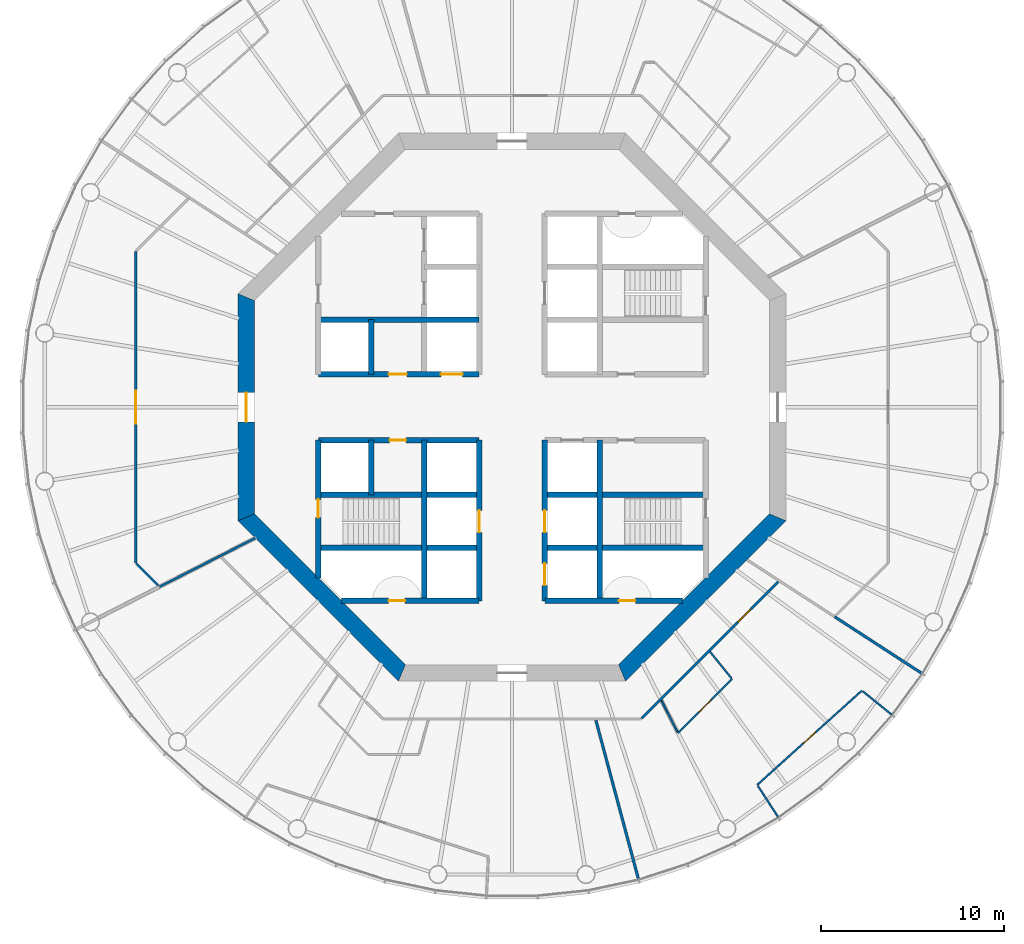
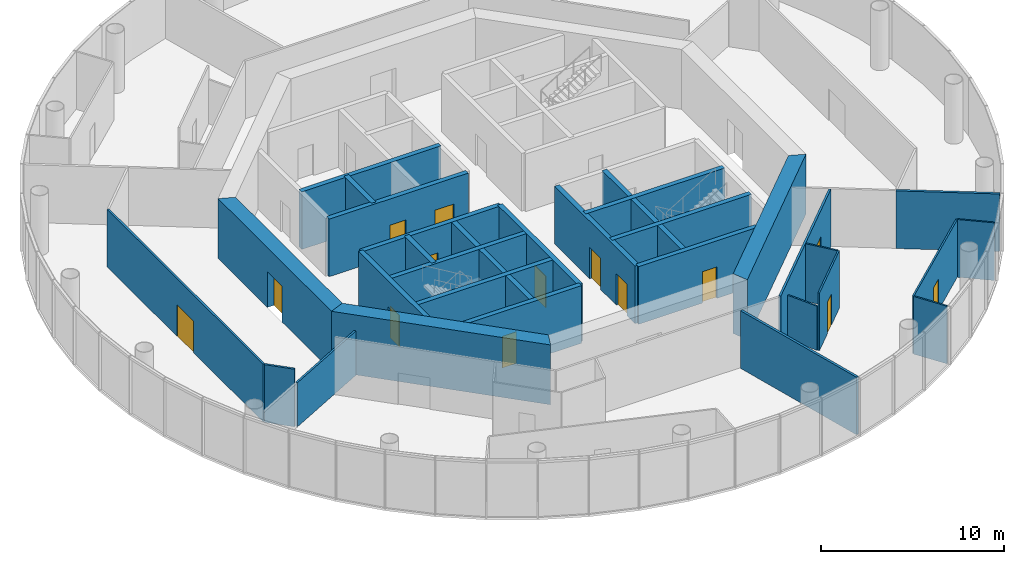
# One storey, part 3 of 12: 31 walls, 14 doors, 14 openings.
"""IFC4 building model written with IfcOpenShell, lengths in metres."""

from ifc_helpers import new_model, si_unit, direction, frame, frame_2d, origin, place, context, subcontext, project, spatial, polyline, rectangle, outline, extrude, material, layer, layer_set, type_object, element, fill, save


model = new_model("IFC4")

# Units and contexts
model_context = context("Model", 3, precision=1e-05, world=origin(), true_north=direction((0.0, 1.0)))
body_context = subcontext(model_context, "Body", "Model", "MODEL_VIEW")
ifc_project = project(units=[si_unit("LENGTHUNIT", "METRE"), si_unit("AREAUNIT", "SQUARE_METRE"), si_unit("VOLUMEUNIT", "CUBIC_METRE"), si_unit("PLANEANGLEUNIT", "RADIAN"), si_unit("MASSUNIT", "GRAM", prefix="KILO")], contexts=[model_context])

# Site, building, storey
site_placement = place(None, origin())
site = spatial("IfcSite", under=ifc_project, at=site_placement, CompositionType="ELEMENT")
building_placement = place(site_placement, origin())
building = spatial("IfcBuilding", under=site, at=building_placement, Name="Entoto Ring Tower", CompositionType="ELEMENT")
storey_placement = place(building_placement, frame((0.0, 0.0, 222.0)))
storey = spatial("IfcBuildingStorey", under=building, at=storey_placement, Name="L51", CompositionType="ELEMENT", Elevation=222.0)

# Wall
ifc_material_1 = material(Name="Concrete C40/50", Category="concrete")
ifc_layer_1 = layer(ifc_material_1, 0.300048828125)
ifc_layer_set_1 = layer_set([ifc_layer_1], Name="Concrete C40/50")
wall_type_1 = type_object("IfcWallType", Name="Core enclosure wall 300 mm reinforced concrete", PredefinedType="SOLIDWALL", material=ifc_layer_set_1)
wall_1_placement = place(storey_placement, frame((94.800048828125, 69.39990234375, 0.0), z_axis=(0.0, 0.0, 1.0), x_axis=(0.0, 1.0, 0.0)))
element("IfcWall", 1, at=wall_1_placement, inside=storey, type_object=wall_type_1, Name="wall-L51-003", PredefinedType="SOLIDWALL", context=body_context, shape_type="SweptSolid", body=[
    extrude(rectangle(XDim=8.800048828125, YDim=0.300048828125, at=frame_2d((4.39990234375, 0.0))), origin(), (0.0, 0.0, 1.0), 3.85009765625),
])

# Wall, openings, doors
wall_2_placement = place(storey_placement, frame((91.800048828125, 69.39990234375, 0.0), z_axis=(0.0, 0.0, 1.0), x_axis=(0.0, 1.0, 0.0)))
wall_2 = element("IfcWall", 2, at=wall_2_placement, inside=storey, type_object=wall_type_1, Name="wall-L51-005", PredefinedType="SOLIDWALL", context=body_context, shape_type="SweptSolid", body=[
    extrude(rectangle(XDim=8.800048828125, YDim=0.300048828125, at=frame_2d((4.39990234375, 0.0))), origin(), (0.0, 0.0, 1.0), 3.85009765625),
])
opening_1_placement = place(wall_2_placement, frame((3.75, 0.0, 0.0)))
opening_1 = element("IfcOpeningElement", 3, at=opening_1_placement, cuts=wall_2, Name="Opening LD", PredefinedType="OPENING", context=body_context, shape_type="SweptSolid", body=[
    extrude(rectangle(XDim=1.199951171875, YDim=2.10009765625, at=frame_2d((0.60009765625, 1.050048828125))), frame((0.0, 0.16015625, 0.0), z_axis=(0.0, -1.0, 0.0), x_axis=(1.0, 0.0, 0.0)), (0.0, 0.0, 1.0), 0.320068359375),
])
opening_2_placement = place(wall_2_placement, frame((0.85009765625, 0.0, 0.0)))
opening_2 = element("IfcOpeningElement", 4, at=opening_2_placement, cuts=wall_2, Name="Opening LD", PredefinedType="OPENING", context=body_context, shape_type="SweptSolid", body=[
    extrude(rectangle(XDim=1.199951171875, YDim=2.10009765625, at=frame_2d((0.60009765625, 1.050048828125))), frame((0.0, 0.16015625, 0.0), z_axis=(0.0, -1.0, 0.0), x_axis=(1.0, 0.0, 0.0)), (0.0, 0.0, 1.0), 0.320068359375),
])
ifc_material_2 = material(Name="Steel and glass door leaf", Category="steel")
ifc_layer_2 = layer(ifc_material_2, 0.050048828125)
ifc_layer_set_2 = layer_set([ifc_layer_2], Name="Steel and glass door leaf")
door_type_1 = type_object("IfcDoorType", Name="Landing door 1200 x 2100 sliding", OperationType="DOUBLE_DOOR_SLIDING", PredefinedType="DOOR", material=ifc_layer_set_2)
door_1_placement = place(opening_1_placement, origin())
door_1 = element("IfcDoor", 5, at=door_1_placement, inside=storey, type_object=door_type_1, Name="Landing door LB2-MR", OperationType="SLIDING_TO_RIGHT", OverallHeight=2.10009765625, OverallWidth=1.199951171875, PredefinedType="DOOR", context=body_context, shape_type="SweptSolid", body=[
    extrude(rectangle(XDim=1.199951171875, YDim=2.10009765625, at=frame_2d((0.60009765625, 1.050048828125))), frame((0.0, 0.02490234375, 0.0), z_axis=(0.0, -1.0, 0.0), x_axis=(1.0, 0.0, 0.0)), (0.0, 0.0, 1.0), 0.050048828125),
])
fill(opening_1, door_1)
door_2_placement = place(opening_2_placement, origin())
door_2 = element("IfcDoor", 6, at=door_2_placement, inside=storey, type_object=door_type_1, Name="Landing door LB3-MR", OperationType="SLIDING_TO_RIGHT", OverallHeight=2.10009765625, OverallWidth=1.199951171875, PredefinedType="DOOR", context=body_context, shape_type="SweptSolid", body=[
    extrude(rectangle(XDim=1.199951171875, YDim=2.10009765625, at=frame_2d((0.60009765625, 1.050048828125))), frame((0.0, 0.02490234375, 0.0), z_axis=(0.0, -1.0, 0.0), x_axis=(1.0, 0.0, 0.0)), (0.0, 0.0, 1.0), 0.050048828125),
])
fill(opening_2, door_2)

# Wall, opening, door
wall_3_placement = place(storey_placement, frame((88.199951171875, 69.39990234375, 0.0), z_axis=(0.0, 0.0, 1.0), x_axis=(0.0, 1.0, 0.0)))
wall_3 = element("IfcWall", 7, at=wall_3_placement, inside=storey, type_object=wall_type_1, Name="wall-L51-007", PredefinedType="SOLIDWALL", context=body_context, shape_type="SweptSolid", body=[
    extrude(rectangle(XDim=8.800048828125, YDim=0.300048828125, at=frame_2d((4.39990234375, 0.0))), origin(), (0.0, 0.0, 1.0), 3.85009765625),
])
opening_3_placement = place(wall_3_placement, frame((3.75, 0.0, 0.0)))
opening_3 = element("IfcOpeningElement", 8, at=opening_3_placement, cuts=wall_3, Name="Opening LD", PredefinedType="OPENING", context=body_context, shape_type="SweptSolid", body=[
    extrude(rectangle(XDim=1.199951171875, YDim=2.10009765625, at=frame_2d((0.60009765625, 1.050048828125))), frame((0.0, 0.16015625, 0.0), z_axis=(0.0, -1.0, 0.0), x_axis=(1.0, 0.0, 0.0)), (0.0, 0.0, 1.0), 0.320068359375),
])
door_3_placement = place(opening_3_placement, origin())
door_3 = element("IfcDoor", 9, at=door_3_placement, inside=storey, type_object=door_type_1, Name="Landing door LB4-MR", OperationType="SLIDING_TO_RIGHT", OverallHeight=2.10009765625, OverallWidth=1.199951171875, PredefinedType="DOOR", context=body_context, shape_type="SweptSolid", body=[
    extrude(rectangle(XDim=1.199951171875, YDim=2.10009765625, at=frame_2d((0.60009765625, 1.050048828125))), frame((0.0, 0.02490234375, 0.0), z_axis=(0.0, -1.0, 0.0), x_axis=(1.0, 0.0, 0.0)), (0.0, 0.0, 1.0), 0.050048828125),
])
fill(opening_3, door_3)

# Walls
wall_4_placement = place(storey_placement, frame((85.199951171875, 69.39990234375, 0.0), z_axis=(0.0, 0.0, 1.0), x_axis=(0.0, 1.0, 0.0)))
element("IfcWall", 10, at=wall_4_placement, inside=storey, type_object=wall_type_1, Name="wall-L51-009", PredefinedType="SOLIDWALL", context=body_context, shape_type="SweptSolid", body=[
    extrude(rectangle(XDim=8.800048828125, YDim=0.300048828125, at=frame_2d((4.39990234375, 0.0))), origin(), (0.0, 0.0, 1.0), 3.85009765625),
])
for number, where, z_axis, x_axis, name in (
    (11, (82.300048828125, 75.199951171875, 0.0), (0.0, 0.0, 1.0), (0.0, 1.0, 0.0), "wall-L51-011"),
    (12, (82.300048828125, 81.800048828125, 0.0), (0.0, 0.0, 1.0), (0.0, 1.0, 0.0), "wall-L51-012"),
):
    element("IfcWall", number, at=place(storey_placement, frame(where, z_axis=z_axis, x_axis=x_axis)), inside=storey, type_object=wall_type_1, Name=name, PredefinedType="SOLIDWALL", context=body_context, shape_type="SweptSolid", body=[
        extrude(rectangle(XDim=3.0, YDim=0.300048828125, at=frame_2d((1.5, 0.0))), origin(), (0.0, 0.0, 1.0), 3.85009765625),
    ])

# Wall, opening, door
wall_5_placement = place(storey_placement, frame((79.39990234375, 70.65966796875, 0.0), z_axis=(0.0, 0.0, 1.0), x_axis=(0.0, 1.0, 0.0)))
wall_5 = element("IfcWall", 13, at=wall_5_placement, inside=storey, type_object=wall_type_1, Name="wall-L51-013", PredefinedType="SOLIDWALL", context=body_context, shape_type="SweptSolid", body=[
    extrude(rectangle(XDim=7.540283203125, YDim=0.300048828125, at=frame_2d((3.77001953125, 0.0))), origin(), (0.0, 0.0, 1.0), 3.85009765625),
])
opening_4_placement = place(wall_5_placement, frame((3.290283203125, 0.0, 0.0)))
opening_4 = element("IfcOpeningElement", 14, at=opening_4_placement, cuts=wall_5, Name="Opening K-55", PredefinedType="OPENING", context=body_context, shape_type="SweptSolid", body=[
    extrude(rectangle(XDim=1.0, YDim=2.10009765625, at=frame_2d((0.5, 1.050048828125))), frame((0.0, 0.16015625, 0.0), z_axis=(0.0, -1.0, 0.0), x_axis=(1.0, 0.0, 0.0)), (0.0, 0.0, 1.0), 0.320068359375),
])
ifc_material_3 = material(Name="Steel door leaf, fire rated", Category="steel")
ifc_layer_3 = layer(ifc_material_3, 0.050048828125)
ifc_layer_set_3 = layer_set([ifc_layer_3], Name="Steel door leaf, fire rated")
door_type_2 = type_object("IfcDoorType", Name="Fire door FD60 1000 x 2100 single leaf", OperationType="NOTDEFINED", PredefinedType="DOOR", material=ifc_layer_set_3)
door_4_placement = place(opening_4_placement, frame((1.0, 0.0, 0.0), z_axis=(0.0, 0.0, 1.0), x_axis=(-1.0, 0.0, 0.0)))
door_4 = element("IfcDoor", 15, at=door_4_placement, inside=storey, type_object=door_type_2, Name="Door K-55", OperationType="SINGLE_SWING_LEFT", OverallHeight=2.10009765625, OverallWidth=1.0, PredefinedType="DOOR", context=body_context, shape_type="SweptSolid", body=[
    extrude(rectangle(XDim=1.0, YDim=2.10009765625, at=frame_2d((0.5, 1.050048828125))), frame((0.0, 0.02490234375, 0.0), z_axis=(0.0, -1.0, 0.0), x_axis=(1.0, 0.0, 0.0)), (0.0, 0.0, 1.0), 0.050048828125),
])
fill(opening_4, door_4)

wall_6_placement = place(storey_placement, frame((80.65966796875, 69.39990234375, 0.0), z_axis=(0.0, 0.0, 1.0), x_axis=(1.0, 0.0, 0.0)))
wall_6 = element("IfcWall", 16, at=wall_6_placement, inside=storey, type_object=wall_type_1, Name="wall-L51-015", PredefinedType="SOLIDWALL", context=body_context, shape_type="SweptSolid", body=[
    extrude(rectangle(XDim=7.540283203125, YDim=0.300048828125, at=frame_2d((3.77001953125, 0.0))), origin(), (0.0, 0.0, 1.0), 3.85009765625),
])
opening_5_placement = place(wall_6_placement, frame((2.59033203125, 0.0, 0.0)))
opening_5 = element("IfcOpeningElement", 17, at=opening_5_placement, cuts=wall_6, Name="Opening K-62", PredefinedType="OPENING", context=body_context, shape_type="SweptSolid", body=[
    extrude(rectangle(XDim=0.89990234375, YDim=2.10009765625, at=frame_2d((0.449951171875, 1.050048828125))), frame((0.0, 0.16015625, 0.0), z_axis=(0.0, -1.0, 0.0), x_axis=(1.0, 0.0, 0.0)), (0.0, 0.0, 1.0), 0.320068359375),
])
ifc_material_4 = material(Name="Steel door leaf, fire rated", Category="steel")
ifc_layer_4 = layer(ifc_material_4, 0.050048828125)
ifc_layer_set_4 = layer_set([ifc_layer_4], Name="Steel door leaf, fire rated")
door_type_3 = type_object("IfcDoorType", Name="Riser door FD60 900 x 2100 single leaf", OperationType="NOTDEFINED", PredefinedType="DOOR", material=ifc_layer_set_4)
door_5_placement = place(opening_5_placement, origin())
door_5 = element("IfcDoor", 18, at=door_5_placement, inside=storey, type_object=door_type_3, Name="Door K-62", OperationType="SINGLE_SWING_RIGHT", OverallHeight=2.10009765625, OverallWidth=0.89990234375, PredefinedType="DOOR", context=body_context, shape_type="SweptSolid", body=[
    extrude(rectangle(XDim=0.89990234375, YDim=2.10009765625, at=frame_2d((0.449951171875, 1.050048828125))), frame((0.0, 0.02490234375, 0.0), z_axis=(0.0, -1.0, 0.0), x_axis=(1.0, 0.0, 0.0)), (0.0, 0.0, 1.0), 0.050048828125),
])
fill(opening_5, door_5)

wall_7_placement = place(storey_placement, frame((91.800048828125, 69.39990234375, 0.0), z_axis=(0.0, 0.0, 1.0), x_axis=(1.0, 0.0, 0.0)))
wall_7 = element("IfcWall", 19, at=wall_7_placement, inside=storey, type_object=wall_type_1, Name="wall-L51-016", PredefinedType="SOLIDWALL", context=body_context, shape_type="SweptSolid", body=[
    extrude(rectangle(XDim=7.540283203125, YDim=0.300048828125, at=frame_2d((3.77001953125, 0.0))), origin(), (0.0, 0.0, 1.0), 3.85009765625),
])
opening_6_placement = place(wall_7_placement, frame((4.050048828125, 0.0, 0.0)))
opening_6 = element("IfcOpeningElement", 20, at=opening_6_placement, cuts=wall_7, Name="Opening K-20", PredefinedType="OPENING", context=body_context, shape_type="SweptSolid", body=[
    extrude(rectangle(XDim=0.89990234375, YDim=2.10009765625, at=frame_2d((0.449951171875, 1.050048828125))), frame((0.0, 0.16015625, 0.0), z_axis=(0.0, -1.0, 0.0), x_axis=(1.0, 0.0, 0.0)), (0.0, 0.0, 1.0), 0.320068359375),
])
door_6_placement = place(opening_6_placement, origin())
door_6 = element("IfcDoor", 21, at=door_6_placement, inside=storey, type_object=door_type_3, Name="Door K-20", OperationType="SINGLE_SWING_LEFT", OverallHeight=2.10009765625, OverallWidth=0.89990234375, PredefinedType="DOOR", context=body_context, shape_type="SweptSolid", body=[
    extrude(rectangle(XDim=0.89990234375, YDim=2.10009765625, at=frame_2d((0.449951171875, 1.050048828125))), frame((0.0, 0.02490234375, 0.0), z_axis=(0.0, -1.0, 0.0), x_axis=(1.0, 0.0, 0.0)), (0.0, 0.0, 1.0), 0.050048828125),
])
fill(opening_6, door_6)

# Walls
for number, where, z_axis, x_axis, name in (
    (22, (79.39990234375, 72.300048828125, 0.0), (0.0, 0.0, 1.0), (1.0, 0.0, 0.0), "wall-L51-017"),
    (23, (91.800048828125, 72.300048828125, 0.0), (0.0, 0.0, 1.0), (1.0, 0.0, 0.0), "wall-L51-018"),
    (24, (79.39990234375, 75.199951171875, 0.0), (0.0, 0.0, 1.0), (1.0, 0.0, 0.0), "wall-L51-019"),
    (25, (91.800048828125, 75.199951171875, 0.0), (0.0, 0.0, 1.0), (1.0, 0.0, 0.0), "wall-L51-020"),
):
    element("IfcWall", number, at=place(storey_placement, frame(where, z_axis=z_axis, x_axis=x_axis)), inside=storey, type_object=wall_type_1, Name=name, PredefinedType="SOLIDWALL", context=body_context, shape_type="SweptSolid", body=[
        extrude(rectangle(XDim=8.800048828125, YDim=0.300048828125, at=frame_2d((4.39990234375, 0.0))), origin(), (0.0, 0.0, 1.0), 3.85009765625),
    ])

# Wall, opening, door
wall_8_placement = place(storey_placement, frame((79.39990234375, 78.199951171875, 0.0), z_axis=(0.0, 0.0, 1.0), x_axis=(1.0, 0.0, 0.0)))
wall_8 = element("IfcWall", 26, at=wall_8_placement, inside=storey, type_object=wall_type_1, Name="wall-L51-021", PredefinedType="SOLIDWALL", context=body_context, shape_type="SweptSolid", body=[
    extrude(rectangle(XDim=8.800048828125, YDim=0.300048828125, at=frame_2d((4.39990234375, 0.0))), origin(), (0.0, 0.0, 1.0), 3.85009765625),
])
opening_7_placement = place(wall_8_placement, frame((3.89990234375, 0.0, 0.0)))
opening_7 = element("IfcOpeningElement", 27, at=opening_7_placement, cuts=wall_8, Name="Opening K-14", PredefinedType="OPENING", context=body_context, shape_type="SweptSolid", body=[
    extrude(rectangle(XDim=0.89990234375, YDim=2.10009765625, at=frame_2d((0.449951171875, 1.050048828125))), frame((0.0, 0.16015625, 0.0), z_axis=(0.0, -1.0, 0.0), x_axis=(1.0, 0.0, 0.0)), (0.0, 0.0, 1.0), 0.320068359375),
])
ifc_material_5 = material(Name="Steel door leaf, fire rated", Category="steel")
ifc_layer_5 = layer(ifc_material_5, 0.050048828125)
ifc_layer_set_5 = layer_set([ifc_layer_5], Name="Steel door leaf, fire rated")
door_type_4 = type_object("IfcDoorType", Name="Core door 900 x 2100 single leaf", OperationType="NOTDEFINED", PredefinedType="DOOR", material=ifc_layer_set_5)
door_7_placement = place(opening_7_placement, frame((0.89990234375, 0.0, 0.0), z_axis=(0.0, 0.0, 1.0), x_axis=(-1.0, 0.0, 0.0)))
door_7 = element("IfcDoor", 28, at=door_7_placement, inside=storey, type_object=door_type_4, Name="Door K-14", OperationType="SINGLE_SWING_LEFT", OverallHeight=2.10009765625, OverallWidth=0.89990234375, PredefinedType="DOOR", context=body_context, shape_type="SweptSolid", body=[
    extrude(rectangle(XDim=0.89990234375, YDim=2.10009765625, at=frame_2d((0.449951171875, 1.050048828125))), frame((0.0, 0.02490234375, 0.0), z_axis=(0.0, -1.0, 0.0), x_axis=(1.0, 0.0, 0.0)), (0.0, 0.0, 1.0), 0.050048828125),
])
fill(opening_7, door_7)

# Wall, openings, doors
wall_9_placement = place(storey_placement, frame((79.39990234375, 81.800048828125, 0.0), z_axis=(0.0, 0.0, 1.0), x_axis=(1.0, 0.0, 0.0)))
wall_9 = element("IfcWall", 29, at=wall_9_placement, inside=storey, type_object=wall_type_1, Name="wall-L51-023", PredefinedType="SOLIDWALL", context=body_context, shape_type="SweptSolid", body=[
    extrude(rectangle(XDim=8.800048828125, YDim=0.300048828125, at=frame_2d((4.39990234375, 0.0))), origin(), (0.0, 0.0, 1.0), 3.85009765625),
])
opening_8_placement = place(wall_9_placement, frame((6.699951171875, 0.0, 0.0)))
opening_8 = element("IfcOpeningElement", 30, at=opening_8_placement, cuts=wall_9, Name="Opening LD", PredefinedType="OPENING", context=body_context, shape_type="SweptSolid", body=[
    extrude(rectangle(XDim=1.199951171875, YDim=2.10009765625, at=frame_2d((0.60009765625, 1.050048828125))), frame((0.0, 0.16015625, 0.0), z_axis=(0.0, -1.0, 0.0), x_axis=(1.0, 0.0, 0.0)), (0.0, 0.0, 1.0), 0.320068359375),
])
opening_9_placement = place(wall_9_placement, frame((3.85009765625, 0.0, 0.0)))
opening_9 = element("IfcOpeningElement", 31, at=opening_9_placement, cuts=wall_9, Name="Opening K-13", PredefinedType="OPENING", context=body_context, shape_type="SweptSolid", body=[
    extrude(rectangle(XDim=1.0, YDim=2.10009765625, at=frame_2d((0.5, 1.050048828125))), frame((0.0, 0.16015625, 0.0), z_axis=(0.0, -1.0, 0.0), x_axis=(1.0, 0.0, 0.0)), (0.0, 0.0, 1.0), 0.320068359375),
])
ifc_material_6 = material(Name="Steel door leaf, fire rated", Category="steel")
ifc_layer_6 = layer(ifc_material_6, 0.050048828125)
ifc_layer_set_6 = layer_set([ifc_layer_6], Name="Steel door leaf, fire rated")
door_type_5 = type_object("IfcDoorType", Name="Accessible door 1000 x 2100 single leaf", OperationType="NOTDEFINED", PredefinedType="DOOR", material=ifc_layer_set_6)
door_8_placement = place(opening_9_placement, origin())
door_8 = element("IfcDoor", 32, at=door_8_placement, inside=storey, type_object=door_type_5, Name="Door K-13", OperationType="SINGLE_SWING_LEFT", OverallHeight=2.10009765625, OverallWidth=1.0, PredefinedType="DOOR", context=body_context, shape_type="SweptSolid", body=[
    extrude(rectangle(XDim=1.0, YDim=2.10009765625, at=frame_2d((0.5, 1.050048828125))), frame((0.0, 0.02490234375, 0.0), z_axis=(0.0, -1.0, 0.0), x_axis=(1.0, 0.0, 0.0)), (0.0, 0.0, 1.0), 0.050048828125),
])
fill(opening_9, door_8)
door_9_placement = place(opening_8_placement, origin())
door_9 = element("IfcDoor", 33, at=door_9_placement, inside=storey, type_object=door_type_1, Name="Landing door LB5-MR", OperationType="SLIDING_TO_LEFT", OverallHeight=2.10009765625, OverallWidth=1.199951171875, PredefinedType="DOOR", context=body_context, shape_type="SweptSolid", body=[
    extrude(rectangle(XDim=1.199951171875, YDim=2.10009765625, at=frame_2d((0.60009765625, 1.050048828125))), frame((0.0, 0.02490234375, 0.0), z_axis=(0.0, -1.0, 0.0), x_axis=(1.0, 0.0, 0.0)), (0.0, 0.0, 1.0), 0.050048828125),
])
fill(opening_8, door_9)

# Wall
wall_10_placement = place(storey_placement, frame((79.39990234375, 84.800048828125, 0.0), z_axis=(0.0, 0.0, 1.0), x_axis=(1.0, 0.0, 0.0)))
element("IfcWall", 34, at=wall_10_placement, inside=storey, type_object=wall_type_1, Name="wall-L51-025", PredefinedType="SOLIDWALL", context=body_context, shape_type="SweptSolid", body=[
    extrude(rectangle(XDim=8.800048828125, YDim=0.300048828125, at=frame_2d((4.39990234375, 0.0))), origin(), (0.0, 0.0, 1.0), 3.85009765625),
])

# Wall, opening, door
ifc_material_7 = material(Name="Concrete C50/60", Category="concrete")
ifc_layer_7 = layer(ifc_material_7, 0.89990234375)
ifc_layer_set_7 = layer_set([ifc_layer_7], Name="Concrete C50/60")
wall_type_2 = type_object("IfcWallType", Name="Core shear wall 900 mm reinforced concrete C50/60", PredefinedType="SHEAR", material=ifc_layer_set_7)
wall_11_placement = place(storey_placement, frame((75.449951171875, 86.02685546875, 0.0), z_axis=(0.0, 0.0, 1.0), x_axis=(0.0, -1.0, 0.0)))
wall_11 = element("IfcWall", 35, at=wall_11_placement, inside=storey, type_object=wall_type_2, Name="wall-L51-core-4", PredefinedType="SHEAR", context=body_context, shape_type="SweptSolid", body=[
    extrude(outline(polyline([(-0.186279296875, -0.449951171875), (12.239990234375, -0.449951171875), (11.867431640625, 0.449951171875), (0.186279296875, 0.449951171875), (-0.186279296875, -0.449951171875)])), origin(), (0.0, 0.0, 1.0), 4.0),
])
opening_10_placement = place(wall_11_placement, frame((5.226806640625, 0.0, 0.0)))
opening_10 = element("IfcOpeningElement", 36, at=opening_10_placement, cuts=wall_11, Name="Opening K-03", PredefinedType="OPENING", context=body_context, shape_type="SweptSolid", body=[
    extrude(rectangle(XDim=1.60009765625, YDim=2.39990234375, at=frame_2d((0.800048828125, 1.199951171875))), frame((0.0, 0.4599609375, 0.0), z_axis=(0.0, -1.0, 0.0), x_axis=(1.0, 0.0, 0.0)), (0.0, 0.0, 1.0), 0.919921875),
])
ifc_material_8 = material(Name="Steel door leaf, fire rated", Category="steel")
ifc_layer_8 = layer(ifc_material_8, 0.050048828125)
ifc_layer_set_8 = layer_set([ifc_layer_8], Name="Steel door leaf, fire rated")
door_type_6 = type_object("IfcDoorType", Name="Entrance door FD60 1600 x 2400 double leaf", OperationType="DOUBLE_DOOR_SINGLE_SWING", PredefinedType="DOOR", material=ifc_layer_set_8)
door_10_placement = place(opening_10_placement, origin())
door_10 = element("IfcDoor", 37, at=door_10_placement, inside=storey, type_object=door_type_6, Name="Entrance door K-03", OperationType="DOUBLE_DOOR_SINGLE_SWING", OverallHeight=2.39990234375, OverallWidth=1.60009765625, PredefinedType="DOOR", context=body_context, shape_type="SweptSolid", body=[
    extrude(rectangle(XDim=1.60009765625, YDim=2.39990234375, at=frame_2d((0.800048828125, 1.199951171875))), frame((0.0, 0.02490234375, 0.0), z_axis=(0.0, -1.0, 0.0), x_axis=(1.0, 0.0, 0.0)), (0.0, 0.0, 1.0), 0.050048828125),
])
fill(opening_10, door_10)

# Walls
for number, where, z_axis, x_axis, name in (
    (38, (75.449951171875, 73.97314453125, 0.0), (0.0, 0.0, 1.0), (0.707106781187, -0.707106781187, 0.0), "wall-L51-core-5"),
    (39, (96.02685546875, 65.449951171875, 0.0), (0.0, 0.0, 1.0), (0.707106781187, 0.707106781187, 0.0), "wall-L51-core-7"),
):
    element("IfcWall", number, at=place(storey_placement, frame(where, z_axis=z_axis, x_axis=x_axis)), inside=storey, type_object=wall_type_2, Name=name, PredefinedType="SHEAR", context=body_context, shape_type="SweptSolid", body=[
        extrude(outline(polyline([(-0.186279296875, -0.449951171875), (12.239990234375, -0.449951171875), (11.867431640625, 0.449951171875), (0.186279296875, 0.449951171875), (-0.186279296875, -0.449951171875)])), origin(), (0.0, 0.0, 1.0), 4.0),
    ])

# Wall, opening, door
ifc_material_9 = material(Name="Fire-resisting plasterboard on steel studs", Category="steel")
ifc_layer_9 = layer(ifc_material_9, 0.125)
ifc_layer_set_9 = layer_set([ifc_layer_9], Name="Fire-resisting plasterboard on steel studs")
wall_type_3 = type_object("IfcWallType", Name="Corridor wall 125 mm one-hour plasterboard on steel studs", PredefinedType="PARTITIONING", material=ifc_layer_set_9)
wall_12_placement = place(storey_placement, frame((69.39990234375, 71.46728515625, 0.0), z_axis=(0.0, 0.0, 1.0), x_axis=(0.0, 1.0, 0.0)))
wall_12 = element("IfcWall", 40, at=wall_12_placement, inside=storey, type_object=wall_type_3, Name="partition-L51-001", PredefinedType="PARTITIONING", context=body_context, shape_type="SweptSolid", body=[
    extrude(rectangle(XDim=17.0654296875, YDim=0.125, at=frame_2d((8.53271484375, 0.0))), origin(), (0.0, 0.0, 1.0), 3.85009765625),
])
opening_11_placement = place(wall_12_placement, frame((7.6328125, 0.0, 0.0)))
opening_11 = element("IfcOpeningElement", 41, at=opening_11_placement, cuts=wall_12, Name="Opening A22-D02", PredefinedType="OPENING", context=body_context, shape_type="SweptSolid", body=[
    extrude(rectangle(XDim=1.800048828125, YDim=2.10009765625, at=frame_2d((0.89990234375, 1.050048828125))), frame((0.0, 0.072509765625, 0.0), z_axis=(0.0, -1.0, 0.0), x_axis=(1.0, 0.0, 0.0)), (0.0, 0.0, 1.0), 0.14501953125),
])
ifc_material_10 = material(Name="Fire-resisting timber door set", Category="wood")
door_type_7 = type_object("IfcDoorType", Name="Door 1800 x 2100 double leaf FD30S fire door", OperationType="DOUBLE_DOOR_SINGLE_SWING", PredefinedType="DOOR", material=ifc_material_10)
door_11_placement = place(opening_11_placement, origin())
door_11 = element("IfcDoor", 42, at=door_11_placement, inside=storey, type_object=door_type_7, Name="Door A22-D02", OperationType="DOUBLE_DOOR_SINGLE_SWING", OverallHeight=2.10009765625, OverallWidth=1.800048828125, PredefinedType="DOOR", context=body_context, shape_type="SweptSolid", body=[
    extrude(rectangle(XDim=1.800048828125, YDim=2.10009765625, at=frame_2d((0.89990234375, 1.050048828125))), frame((0.0, 0.02490234375, 0.0), z_axis=(0.0, -1.0, 0.0), x_axis=(1.0, 0.0, 0.0)), (0.0, 0.0, 1.0), 0.050048828125),
])
fill(opening_11, door_11)

wall_13_placement = place(storey_placement, frame((97.0986328125, 62.968505859375, 0.0), z_axis=(0.0, 0.0, 1.0), x_axis=(0.707095235926, 0.707118326258, 0.0)))
wall_13 = element("IfcWall", 43, at=wall_13_placement, inside=storey, type_object=wall_type_3, Name="partition-L51-008", PredefinedType="PARTITIONING", context=body_context, shape_type="SweptSolid", body=[
    extrude(rectangle(XDim=10.5732421875, YDim=0.125, at=frame_2d((5.28662109375, 0.0))), origin(), (0.0, 0.0, 1.0), 3.85009765625),
])
opening_12_placement = place(wall_13_placement, frame((7.440185546875, 0.0, 0.0)))
opening_12 = element("IfcOpeningElement", 44, at=opening_12_placement, cuts=wall_13, Name="Opening A22-D14", PredefinedType="OPENING", context=body_context, shape_type="SweptSolid", body=[
    extrude(rectangle(XDim=1.0, YDim=2.10009765625, at=frame_2d((0.5, 1.050048828125))), frame((0.0, 0.072509765625, 0.0), z_axis=(0.0, -1.0, 0.0), x_axis=(1.0, 0.0, 0.0)), (0.0, 0.0, 1.0), 0.14501953125),
])
ifc_material_11 = material(Name="Fire-resisting timber door set", Category="wood")
door_type_8 = type_object("IfcDoorType", Name="Door 1000 x 2100 single leaf FD30S fire door", OperationType="NOTDEFINED", PredefinedType="DOOR", material=ifc_material_11)
door_12_placement = place(opening_12_placement, frame((1.0, 0.0, 0.0), z_axis=(0.0, 0.0, 1.0), x_axis=(-1.0, 0.0, 0.0)))
door_12 = element("IfcDoor", 45, at=door_12_placement, inside=storey, type_object=door_type_8, Name="Door A22-D14", OperationType="SINGLE_SWING_RIGHT", OverallHeight=2.10009765625, OverallWidth=1.0, PredefinedType="DOOR", context=body_context, shape_type="SweptSolid", body=[
    extrude(rectangle(XDim=1.0, YDim=2.10009765625, at=frame_2d((0.5, 1.050048828125))), frame((0.0, 0.02490234375, 0.0), z_axis=(0.0, -1.0, 0.0), x_axis=(1.0, 0.0, 0.0)), (0.0, 0.0, 1.0), 0.050048828125),
])
fill(opening_12, door_12)

# Walls
wall_14_placement = place(storey_placement, frame((70.630615234375, 70.236572265625, 0.0), z_axis=(0.0, 0.0, 1.0), x_axis=(-0.707106781187, 0.707106781187, 0.0)))
element("IfcWall", 46, at=wall_14_placement, inside=storey, type_object=wall_type_3, Name="partition-L51-015", PredefinedType="PARTITIONING", context=body_context, shape_type="SweptSolid", body=[
    extrude(rectangle(XDim=1.6962890625, YDim=0.125, at=frame_2d((0.84814453125, 0.0))), origin(), (0.0, 0.0, 1.0), 3.85009765625),
])
ifc_material_12 = material(Name="Fire-resisting plasterboard on steel studs", Category="steel")
ifc_layer_10 = layer(ifc_material_12, 0.125)
ifc_layer_set_10 = layer_set([ifc_layer_10], Name="Fire-resisting plasterboard on steel studs")
wall_type_4 = type_object("IfcWallType", Name="Corridor wall 125 mm one-hour plasterboard on steel studs, 2950 mm high", PredefinedType="PARTITIONING", material=ifc_layer_set_10)
wall_15_placement = place(storey_placement, frame((70.70068359375, 70.16650390625, 0.0), z_axis=(0.0, 0.0, 1.0), x_axis=(0.891009750901, 0.453984166905, 0.0)))
element("IfcWall", 47, at=wall_15_placement, inside=storey, type_object=wall_type_4, Name="partition-L51-010", PredefinedType="PARTITIONING", context=body_context, shape_type="SweptSolid", body=[
    extrude(rectangle(XDim=5.88818359375, YDim=0.125, at=frame_2d((2.944091796875, 0.0))), origin(), (0.0, 0.0, 1.0), 2.949951171875),
])

# Wall, opening, door
ifc_material_13 = material(Name="Plasterboard on steel studs", Category="steel")
ifc_layer_11 = layer(ifc_material_13, 0.10009765625)
ifc_layer_set_11 = layer_set([ifc_layer_11], Name="Plasterboard on steel studs")
wall_type_5 = type_object("IfcWallType", Name="Partition 100 mm plasterboard on steel studs", PredefinedType="PARTITIONING", material=ifc_layer_set_11)
wall_16_placement = place(storey_placement, frame((103.42529296875, 59.326904296875, 0.0), z_axis=(0.0, 0.0, 1.0), x_axis=(0.743144588405, 0.669130869654, 0.0)))
wall_16 = element("IfcWall", 48, at=wall_16_placement, inside=storey, type_object=wall_type_5, Name="partition-L51-025", PredefinedType="PARTITIONING", context=body_context, shape_type="SweptSolid", body=[
    extrude(rectangle(XDim=7.712158203125, YDim=0.10009765625, at=frame_2d((3.85595703125, 0.0))), origin(), (0.0, 0.0, 1.0), 3.85009765625),
])
opening_13_placement = place(wall_16_placement, frame((3.406005859375, 0.0, 0.0)))
opening_13 = element("IfcOpeningElement", 49, at=opening_13_placement, cuts=wall_16, Name="Opening A22-D16", PredefinedType="OPENING", context=body_context, shape_type="SweptSolid", body=[
    extrude(rectangle(XDim=0.89990234375, YDim=2.10009765625, at=frame_2d((0.449951171875, 1.050048828125))), frame((0.0, 0.06005859375, 0.0), z_axis=(0.0, -1.0, 0.0), x_axis=(1.0, 0.0, 0.0)), (0.0, 0.0, 1.0), 0.1201171875),
])
ifc_material_14 = material(Name="Veneered timber door leaf in timber frame", Category="wood")
door_type_9 = type_object("IfcDoorType", Name="Door 900 x 2100 single leaf timber veneer", OperationType="NOTDEFINED", PredefinedType="DOOR", material=ifc_material_14)
door_13_placement = place(opening_13_placement, frame((0.89990234375, 0.0, 0.0), z_axis=(0.0, 0.0, 1.0), x_axis=(-1.0, 0.0, 0.0)))
door_13 = element("IfcDoor", 50, at=door_13_placement, inside=storey, type_object=door_type_9, Name="Door A22-D16", OperationType="SINGLE_SWING_LEFT", OverallHeight=2.10009765625, OverallWidth=0.89990234375, PredefinedType="DOOR", context=body_context, shape_type="SweptSolid", body=[
    extrude(rectangle(XDim=0.89990234375, YDim=2.10009765625, at=frame_2d((0.449951171875, 1.050048828125))), frame((0.0, 0.02490234375, 0.0), z_axis=(0.0, -1.0, 0.0), x_axis=(1.0, 0.0, 0.0)), (0.0, 0.0, 1.0), 0.050048828125),
])
fill(opening_13, door_13)

wall_17_placement = place(storey_placement, frame((99.090087890625, 62.159912109375, 0.0), z_axis=(0.0, 0.0, 1.0), x_axis=(0.707106781187, 0.707106781187, 0.0)))
wall_17 = element("IfcWall", 51, at=wall_17_placement, inside=storey, type_object=wall_type_5, Name="partition-L51-029", PredefinedType="PARTITIONING", context=body_context, shape_type="SweptSolid", body=[
    extrude(rectangle(XDim=4.185791015625, YDim=0.10009765625, at=frame_2d((2.0927734375, 0.0))), origin(), (0.0, 0.0, 1.0), 3.85009765625),
])
opening_14_placement = place(wall_17_placement, frame((1.642822265625, 0.0, 0.0)))
opening_14 = element("IfcOpeningElement", 52, at=opening_14_placement, cuts=wall_17, Name="Opening A22-D15", PredefinedType="OPENING", context=body_context, shape_type="SweptSolid", body=[
    extrude(rectangle(XDim=0.89990234375, YDim=2.10009765625, at=frame_2d((0.449951171875, 1.050048828125))), frame((0.0, 0.06005859375, 0.0), z_axis=(0.0, -1.0, 0.0), x_axis=(1.0, 0.0, 0.0)), (0.0, 0.0, 1.0), 0.1201171875),
])
door_14_placement = place(opening_14_placement, origin())
door_14 = element("IfcDoor", 53, at=door_14_placement, inside=storey, type_object=door_type_9, Name="Door A22-D15", OperationType="SINGLE_SWING_LEFT", OverallHeight=2.10009765625, OverallWidth=0.89990234375, PredefinedType="DOOR", context=body_context, shape_type="SweptSolid", body=[
    extrude(rectangle(XDim=0.89990234375, YDim=2.10009765625, at=frame_2d((0.449951171875, 1.050048828125))), frame((0.0, 0.02490234375, 0.0), z_axis=(0.0, -1.0, 0.0), x_axis=(1.0, 0.0, 0.0)), (0.0, 0.0, 1.0), 0.050048828125),
])
fill(opening_14, door_14)

# Walls
for number, where, z_axis, x_axis, name in (
    (54, (104.563720703125, 57.573974609375, 0.0), (0.0, 0.0, 1.0), (-0.544693962509, 0.838634895056, 0.0), "partition-L51-036"),
    (55, (110.781005859375, 63.172119140625, 0.0), (0.0, 0.0, 1.0), (-0.777166854362, 0.629294589585, 0.0), "partition-L51-037"),
):
    element("IfcWall", number, at=place(storey_placement, frame(where, z_axis=z_axis, x_axis=x_axis)), inside=storey, type_object=wall_type_5, Name=name, PredefinedType="PARTITIONING", context=body_context, shape_type="SweptSolid", body=[
        extrude(rectangle(XDim=2.040771484375, YDim=0.10009765625, at=frame_2d((1.0205078125, 0.0))), origin(), (0.0, 0.0, 1.0), 3.85009765625),
    ])
wall_18_placement = place(storey_placement, frame((102.0185546875, 65.158203125, 0.0), z_axis=(0.0, 0.0, 1.0), x_axis=(-0.629261966188, 0.777193269341, 0.0)))
element("IfcWall", 56, at=wall_18_placement, inside=storey, type_object=wall_type_5, Name="partition-L51-043", PredefinedType="PARTITIONING", context=body_context, shape_type="SweptSolid", body=[
    extrude(rectangle(XDim=1.873046875, YDim=0.10009765625, at=frame_2d((0.9365234375, 0.0))), origin(), (0.0, 0.0, 1.0), 3.85009765625),
])
ifc_material_15 = material(Name="Plasterboard on steel studs", Category="steel")
ifc_layer_12 = layer(ifc_material_15, 0.10009765625)
ifc_layer_set_12 = layer_set([ifc_layer_12], Name="Plasterboard on steel studs")
wall_type_6 = type_object("IfcWallType", Name="Partition 100 mm plasterboard on steel studs, 2950 mm high", PredefinedType="PARTITIONING", material=ifc_layer_set_12)
wall_19_placement = place(storey_placement, frame((99.058837890625, 62.220947265625, 0.0), z_axis=(0.0, 0.0, 1.0), x_axis=(-0.454026133406, 0.890988367031, 0.0)))
element("IfcWall", 57, at=wall_19_placement, inside=storey, type_object=wall_type_6, Name="partition-L51-038", PredefinedType="PARTITIONING", context=body_context, shape_type="SweptSolid", body=[
    extrude(rectangle(XDim=1.931396484375, YDim=0.10009765625, at=frame_2d((0.9658203125, 0.0))), origin(), (0.0, 0.0, 1.0), 2.949951171875),
])
ifc_material_16 = material(Name="Fire-resisting acoustic plasterboard on steel studs", Category="steel")
ifc_layer_13 = layer(ifc_material_16, 0.14990234375)
ifc_layer_set_13 = layer_set([ifc_layer_13], Name="Fire-resisting acoustic plasterboard on steel studs")
wall_type_7 = type_object("IfcWallType", Name="Party wall 150 mm one-hour acoustic plasterboard on steel studs", PredefinedType="PARTITIONING", material=ifc_layer_set_13)
wall_20_placement = place(storey_placement, frame((96.9208984375, 54.171142578125, 0.0), z_axis=(0.0, 0.0, 1.0), x_axis=(-0.258831999562, 0.965922355059, 0.0)))
element("IfcWall", 58, at=wall_20_placement, inside=storey, type_object=wall_type_7, Name="partition-L51-018", PredefinedType="PARTITIONING", context=body_context, shape_type="SweptSolid", body=[
    extrude(rectangle(XDim=8.990966796875, YDim=0.14990234375, at=frame_2d((4.49560546875, 0.0))), origin(), (0.0, 0.0, 1.0), 3.85009765625),
])
wall_21_placement = place(storey_placement, frame((112.426025390625, 65.436279296875, 0.0), z_axis=(0.0, 0.0, 1.0), x_axis=(-0.838649796671, 0.544671018638, 0.0)))
element("IfcWall", 59, at=wall_21_placement, inside=storey, type_object=wall_type_7, Name="partition-L51-019", PredefinedType="PARTITIONING", context=body_context, shape_type="SweptSolid", body=[
    extrude(rectangle(XDim=5.6796875, YDim=0.14990234375, at=frame_2d((2.83984375, 0.0))), origin(), (0.0, 0.0, 1.0), 3.85009765625),
])

save(model, "model.ifc")
